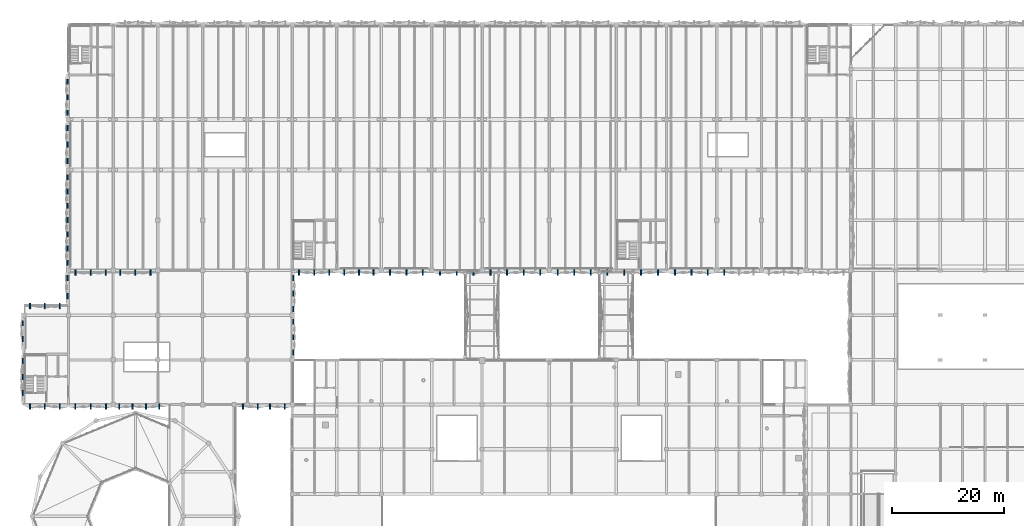
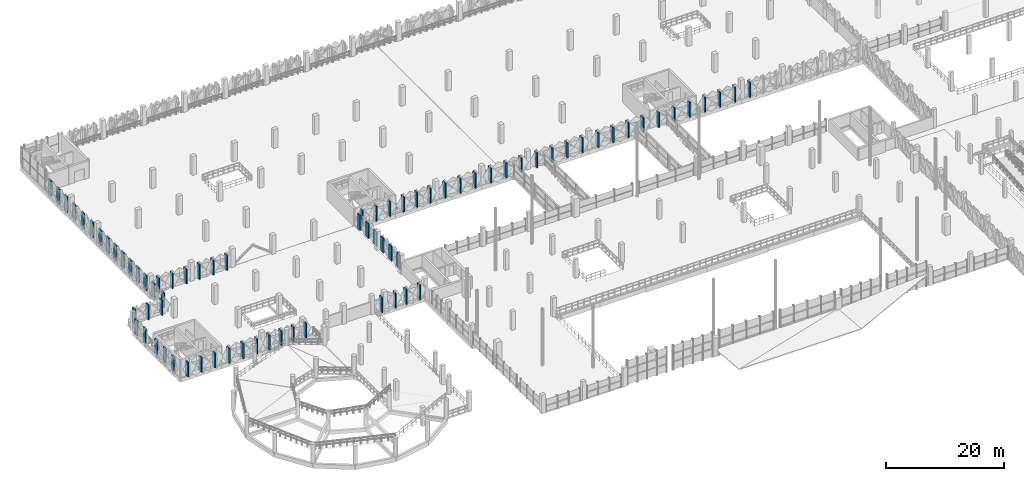
# One storey, part 83 of 123: 76 discrete accessories.
"""IFC4 building model written with IfcOpenShell, lengths in metres."""

from ifc_helpers import new_model, si_unit, derived_unit, direction, frame, origin, origin_2d, place, context, subcontext, project, spatial, rectangle, extrude, material, type_object, element, save


model = new_model("IFC4")

# Units and contexts
model_context = context("Model", 3, precision=1e-05, world=origin(), true_north=direction((0.0, 1.0)))
body_context = subcontext(model_context, "Body", "Model", "MODEL_VIEW")
ifc_project = project(units=[si_unit("LENGTHUNIT", "METRE"), si_unit("AREAUNIT", "SQUARE_METRE"), si_unit("VOLUMEUNIT", "CUBIC_METRE"), si_unit("PLANEANGLEUNIT", "RADIAN"), si_unit("MASSUNIT", "GRAM", prefix="KILO"), si_unit("THERMODYNAMICTEMPERATUREUNIT", "KELVIN"), derived_unit("THERMALTRANSMITTANCEUNIT", [(si_unit("POWERUNIT", "WATT"), 1), (si_unit("AREAUNIT", "SQUARE_METRE"), -1), (si_unit("THERMODYNAMICTEMPERATUREUNIT", "KELVIN"), -1)])], contexts=[model_context])

# Site, building, storey
site_placement = place(None, origin())
site = spatial("IfcSite", under=ifc_project, at=site_placement, CompositionType="ELEMENT")
building_placement = place(site_placement, origin())
building = spatial("IfcBuilding", under=site, at=building_placement, Name="Haiyu Intermodal Mobility Hub", CompositionType="ELEMENT")
storey_placement = place(building_placement, frame((0.0, 0.0, 5.60009765625)))
storey = spatial("IfcBuildingStorey", under=building, at=storey_placement, Name="L01", CompositionType="ELEMENT", Elevation=5.60009765625)

# Discrete accessories
ifc_material = material(Name="Steel Q355C", Category="steel")
discrete_accessory_type = type_object("IfcDiscreteAccessoryType", Name="ACC-BK02", PredefinedType="BRACKET", material=ifc_material)
for number, where, z_axis, x_axis, name in (
    (1, (21.800048828125, 120.68603515625, 0.0498046875), (0.0, 0.0, 1.0), (1.0, 0.0, 0.0), "BRK-PYR-0523"),
    (2, (21.800048828125, 118.136962890625, 0.0498046875), (0.0, 0.0, 1.0), (1.0, 0.0, 0.0), "BRK-PYR-0526"),
    (3, (21.800048828125, 115.589111328125, 0.0498046875), (0.0, 0.0, 1.0), (1.0, 0.0, 0.0), "BRK-PYR-0529"),
    (4, (21.800048828125, 113.0400390625, 0.0498046875), (0.0, 0.0, 1.0), (1.0, 0.0, 0.0), "BRK-PYR-0532"),
    (5, (21.800048828125, 110.490966796875, 0.0498046875), (0.0, 0.0, 1.0), (1.0, 0.0, 0.0), "BRK-PYR-0535"),
    (6, (21.800048828125, 107.943115234375, 0.0498046875), (0.0, 0.0, 1.0), (1.0, 0.0, 0.0), "BRK-PYR-0538"),
    (7, (21.800048828125, 105.39404296875, 0.0498046875), (0.0, 0.0, 1.0), (1.0, 0.0, 0.0), "BRK-PYR-0539"),
    (8, (21.800048828125, 129.487060546875, 0.0498046875), (0.0, 0.0, 1.0), (1.0, 0.0, 0.0), "BRK-PYR-0618"),
    (9, (21.800048828125, 126.5400390625, 0.0498046875), (0.0, 0.0, 1.0), (1.0, 0.0, 0.0), "BRK-PYR-0621"),
    (10, (21.800048828125, 123.593017578125, 0.0498046875), (0.0, 0.0, 1.0), (1.0, 0.0, 0.0), "BRK-PYR-0622"),
    (11, (13.800048828125, 94.550048828125, 0.0498046875), (0.0, 0.0, 1.0), (1.0, 0.0, 0.0), "BRK-PYR-0653"),
    (12, (13.800048828125, 91.72998046875, 0.0498046875), (0.0, 0.0, 1.0), (1.0, 0.0, 0.0), "BRK-PYR-0654"),
    (13, (71.346923828125, 103.659912109375, 0.0498046875), (0.0, 0.0, 1.0), (1.0, 0.0, 0.0), "BRK-PYR-0749"),
    (14, (73.9599609375, 103.659912109375, 0.0498046875), (0.0, 0.0, 1.0), (1.0, 0.0, 0.0), "BRK-PYR-0752"),
    (15, (76.572998046875, 103.659912109375, 0.0498046875), (0.0, 0.0, 1.0), (1.0, 0.0, 0.0), "BRK-PYR-0753"),
    (16, (79.512939453125, 103.659912109375, 0.0498046875), (0.0, 0.0, 1.0), (1.0, 0.0, 0.0), "BRK-PYR-0784"),
    (17, (82.4599609375, 103.659912109375, 0.0498046875), (0.0, 0.0, 1.0), (1.0, 0.0, 0.0), "BRK-PYR-0787"),
    (18, (85.406982421875, 103.659912109375, 0.0498046875), (0.0, 0.0, 1.0), (1.0, 0.0, 0.0), "BRK-PYR-0788"),
    (19, (97.52001953125, 103.659912109375, 0.0498046875), (0.0, 0.0, 1.0), (1.0, 0.0, 0.0), "BRK-PYR-0847"),
    (20, (100.47998046875, 103.659912109375, 0.0498046875), (0.0, 0.0, 1.0), (1.0, 0.0, 0.0), "BRK-PYR-0850"),
    (21, (103.43994140625, 103.659912109375, 0.0498046875), (0.0, 0.0, 1.0), (1.0, 0.0, 0.0), "BRK-PYR-0853"),
    (22, (106.39990234375, 103.659912109375, 0.0498046875), (0.0, 0.0, 1.0), (1.0, 0.0, 0.0), "BRK-PYR-0854"),
    (23, (109.52001953125, 103.659912109375, 0.0498046875), (0.0, 0.0, 1.0), (1.0, 0.0, 0.0), "BRK-PYR-0897"),
    (24, (112.47998046875, 103.659912109375, 0.0498046875), (0.0, 0.0, 1.0), (1.0, 0.0, 0.0), "BRK-PYR-0900"),
    (25, (115.43994140625, 103.659912109375, 0.0498046875), (0.0, 0.0, 1.0), (1.0, 0.0, 0.0), "BRK-PYR-0903"),
    (26, (118.39990234375, 103.659912109375, 0.0498046875), (0.0, 0.0, 1.0), (1.0, 0.0, 0.0), "BRK-PYR-0904"),
    (27, (130.512939453125, 103.659912109375, 0.0498046875), (0.0, 0.0, 1.0), (1.0, 0.0, 0.0), "BRK-PYR-0947"),
    (28, (133.4599609375, 103.659912109375, 0.0498046875), (0.0, 0.0, 1.0), (1.0, 0.0, 0.0), "BRK-PYR-0950"),
    (29, (136.406982421875, 103.659912109375, 0.0498046875), (0.0, 0.0, 1.0), (1.0, 0.0, 0.0), "BRK-PYR-0951"),
    (30, (139.346923828125, 103.659912109375, 0.0498046875), (0.0, 0.0, 1.0), (1.0, 0.0, 0.0), "BRK-PYR-0982"),
    (31, (13.800048828125, 87.806884765625, 0.0498046875), (0.0, 0.0, 1.0), (1.0, 0.0, 0.0), "BRK-PYR-1418"),
    (32, (13.800048828125, 84.93994140625, 0.0498046875), (0.0, 0.0, 1.0), (1.0, 0.0, 0.0), "BRK-PYR-1421"),
    (33, (13.800048828125, 82.072998046875, 0.0498046875), (0.0, 0.0, 1.0), (1.0, 0.0, 0.0), "BRK-PYR-1422"),
    (34, (15.093017578125, 79.659912109375, 0.0498046875), (0.0, 0.0, 1.0), (1.0, 0.0, 0.0), "BRK-PYR-1425"),
    (35, (17.760009765625, 79.659912109375, 0.0498046875), (0.0, 0.0, 1.0), (1.0, 0.0, 0.0), "BRK-PYR-1428"),
    (36, (20.427001953125, 79.659912109375, 0.0498046875), (0.0, 0.0, 1.0), (1.0, 0.0, 0.0), "BRK-PYR-1429"),
    (37, (62.199951171875, 89.29296875, 0.0498046875), (0.0, 0.0, 1.0), (1.0, 0.0, 0.0), "BRK-PYR-2021"),
    (38, (62.199951171875, 92.06005859375, 0.0498046875), (0.0, 0.0, 1.0), (1.0, 0.0, 0.0), "BRK-PYR-2024"),
    (39, (62.199951171875, 94.826904296875, 0.0498046875), (0.0, 0.0, 1.0), (1.0, 0.0, 0.0), "BRK-PYR-2025"),
    (40, (62.199951171875, 97.093017578125, 0.0498046875), (0.0, 0.0, 1.0), (1.0, 0.0, 0.0), "BRK-PYR-2028"),
    (41, (62.199951171875, 99.860107421875, 0.0498046875), (0.0, 0.0, 1.0), (1.0, 0.0, 0.0), "BRK-PYR-2031"),
    (42, (62.199951171875, 102.626953125, 0.0498046875), (0.0, 0.0, 1.0), (1.0, 0.0, 0.0), "BRK-PYR-2032"),
    (43, (53.235107421875, 79.659912109375, 0.0498046875), (0.0, 0.0, 1.0), (1.0, 0.0, 0.0), "BRK-PYR-2035"),
    (44, (55.885009765625, 79.659912109375, 0.0498046875), (0.0, 0.0, 1.0), (1.0, 0.0, 0.0), "BRK-PYR-2036"),
    (45, (58.034912109375, 79.659912109375, 0.0498046875), (0.0, 0.0, 1.0), (1.0, 0.0, 0.0), "BRK-PYR-2039"),
    (46, (60.68505859375, 79.659912109375, 0.0498046875), (0.0, 0.0, 1.0), (1.0, 0.0, 0.0), "BRK-PYR-2040"),
    (47, (63.260009765625, 103.659912109375, 0.0498046875), (0.0, 0.0, 1.0), (1.0, 0.0, 0.0), "BRK-PYR-2192"),
    (48, (65.9599609375, 103.659912109375, 0.0498046875), (0.0, 0.0, 1.0), (1.0, 0.0, 0.0), "BRK-PYR-2195"),
    (49, (68.659912109375, 103.659912109375, 0.0498046875), (0.0, 0.0, 1.0), (1.0, 0.0, 0.0), "BRK-PYR-2196"),
    (50, (121.427001953125, 103.659912109375, 0.0498046875), (0.0, 0.0, 1.0), (1.0, 0.0, 0.0), "BRK-PYR-2199"),
    (51, (124.4599609375, 103.659912109375, 0.0498046875), (0.0, 0.0, 1.0), (1.0, 0.0, 0.0), "BRK-PYR-2202"),
    (52, (127.492919921875, 103.659912109375, 0.0498046875), (0.0, 0.0, 1.0), (1.0, 0.0, 0.0), "BRK-PYR-2203"),
    (53, (88.4599609375, 103.659912109375, 0.0498046875), (0.0, 0.0, 1.0), (1.0, 0.0, 0.0), "BRK-PYR-2262"),
    (54, (91.4599609375, 103.659912109375, 0.0498046875), (0.0, 0.0, 1.0), (1.0, 0.0, 0.0), "BRK-PYR-2265"),
    (55, (94.4599609375, 103.659912109375, 0.0498046875), (0.0, 0.0, 1.0), (1.0, 0.0, 0.0), "BRK-PYR-2266"),
    (56, (23.260009765625, 103.659912109375, 0.0498046875), (0.0, 0.0, 1.0), (1.0, 0.0, 0.0), "BRK-PYR-2269"),
    (57, (25.9599609375, 103.659912109375, 0.0498046875), (0.0, 0.0, 1.0), (1.0, 0.0, 0.0), "BRK-PYR-2272"),
    (58, (28.659912109375, 103.659912109375, 0.0498046875), (0.0, 0.0, 1.0), (1.0, 0.0, 0.0), "BRK-PYR-2273"),
    (59, (31.260009765625, 103.659912109375, 0.0498046875), (0.0, 0.0, 1.0), (1.0, 0.0, 0.0), "BRK-PYR-2276"),
    (60, (33.9599609375, 103.659912109375, 0.0498046875), (0.0, 0.0, 1.0), (1.0, 0.0, 0.0), "BRK-PYR-2279"),
    (61, (36.659912109375, 103.659912109375, 0.0498046875), (0.0, 0.0, 1.0), (1.0, 0.0, 0.0), "BRK-PYR-2280"),
    (62, (21.800048828125, 137.757080078125, 0.0498046875), (0.0, 0.0, 1.0), (1.0, 0.0, 0.0), "BRK-PYR-2290"),
    (63, (21.800048828125, 134.989990234375, 0.0498046875), (0.0, 0.0, 1.0), (1.0, 0.0, 0.0), "BRK-PYR-2293"),
    (64, (21.800048828125, 132.222900390625, 0.0498046875), (0.0, 0.0, 1.0), (1.0, 0.0, 0.0), "BRK-PYR-2294"),
    (65, (15.093017578125, 97.659912109375, 0.0498046875), (0.0, 0.0, 1.0), (1.0, 0.0, 0.0), "BRK-PYR-2453"),
    (66, (17.760009765625, 97.659912109375, 0.0498046875), (0.0, 0.0, 1.0), (1.0, 0.0, 0.0), "BRK-PYR-2456"),
    (67, (20.427001953125, 97.659912109375, 0.0498046875), (0.0, 0.0, 1.0), (1.0, 0.0, 0.0), "BRK-PYR-2457"),
    (68, (21.800048828125, 102.639892578125, 0.0498046875), (0.0, 0.0, 1.0), (1.0, 0.0, 0.0), "BRK-PYR-2460"),
    (69, (21.800048828125, 99.43994140625, 0.0498046875), (0.0, 0.0, 1.0), (1.0, 0.0, 0.0), "BRK-PYR-2461"),
    (70, (23.22705078125, 79.659912109375, 0.0498046875), (0.0, 0.0, 1.0), (1.0, 0.0, 0.0), "BRK-PYR-2464"),
    (71, (25.9599609375, 79.659912109375, 0.0498046875), (0.0, 0.0, 1.0), (1.0, 0.0, 0.0), "BRK-PYR-2467"),
    (72, (28.693115234375, 79.659912109375, 0.0498046875), (0.0, 0.0, 1.0), (1.0, 0.0, 0.0), "BRK-PYR-2468"),
    (73, (31.06005859375, 79.659912109375, 0.0498046875), (0.0, 0.0, 1.0), (1.0, 0.0, 0.0), "BRK-PYR-2471"),
    (74, (33.4599609375, 79.659912109375, 0.0498046875), (0.0, 0.0, 1.0), (1.0, 0.0, 0.0), "BRK-PYR-2474"),
    (75, (35.860107421875, 79.659912109375, 0.0498046875), (0.0, 0.0, 1.0), (1.0, 0.0, 0.0), "BRK-PYR-2477"),
    (76, (38.260009765625, 79.659912109375, 0.0498046875), (0.0, 0.0, 1.0), (1.0, 0.0, 0.0), "BRK-PYR-2478"),
):
    element("IfcDiscreteAccessory", number, at=place(storey_placement, frame(where, z_axis=z_axis, x_axis=x_axis)), inside=storey, type_object=discrete_accessory_type, Name=name, PredefinedType="BRACKET", context=body_context, shape_type="SweptSolid", body=[
        extrude(rectangle(XDim=0.219970703125, YDim=0.949951171875, at=origin_2d()), origin(), (0.0, 0.0, 1.0), 3.10009765625),
    ])

save(model, "model.ifc")
